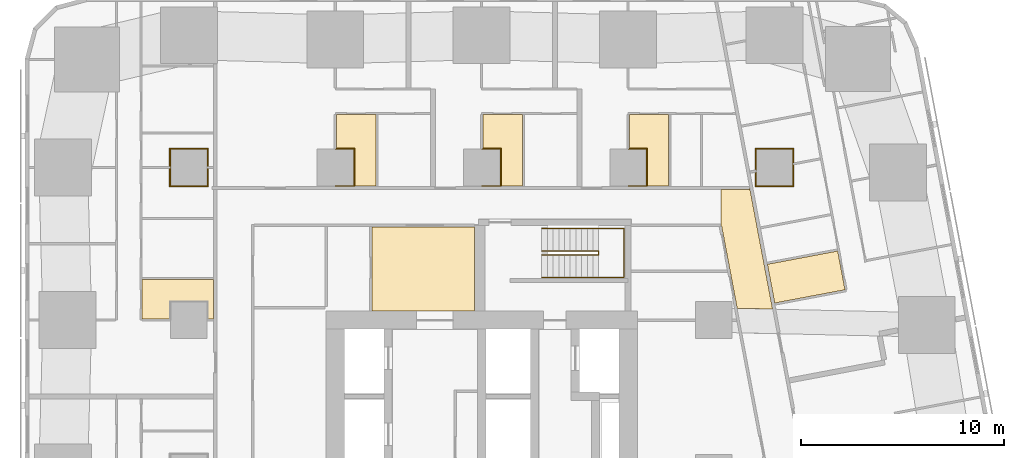
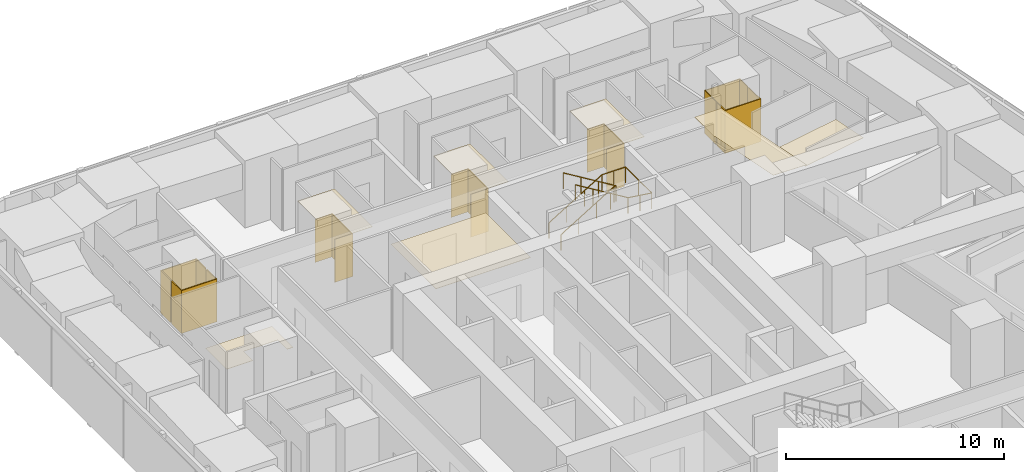
# One storey, part 15 of 15: 14 coverings, 2 railings.
"""IFC4 building model written with IfcOpenShell, lengths in metres."""

import ifcopenshell
import ifcopenshell.guid

model = None  # the IFC model being written
_history = None  # IfcOwnerHistory: only IFC2X3 demands one
_inside = {}  # id of a spatial element -> (the spatial element, [elements in it])
_under = {}  # id of a project, library or spatial element -> (it, [spatial elements below it])
_declared = {}  # id of a project -> (the project, [libraries it declares])
_typed = {}  # id of a type object -> (the type object, [elements of that type])
_made_of = {}  # id of a material, layer set ... -> (it, [elements and type objects made of it])


def new_model(schema):
    """Start an empty IFC model of exactly this schema.

    Asked for "IFC4X3", IfcOpenShell would pick the latest addendum, in which some entities
    have other attributes; the version numbers below select the first issue.
    IFC2X3 requires an IfcOwnerHistory on every rooted entity: one is made here for all.
    """
    global model, _history
    if schema == "IFC4X3":
        model = ifcopenshell.file(schema_version=(4, 3, 0, 0))
    else:
        model = ifcopenshell.file(schema=schema)
    _inside.clear()
    _under.clear()
    _declared.clear()
    _typed.clear()
    _made_of.clear()
    _history = None
    if model.schema == "IFC2X3":
        org = make("IfcOrganization", Name="unknown")
        user = make(
            "IfcPersonAndOrganization",
            ThePerson=make("IfcPerson", FamilyName="unknown"),
            TheOrganization=org,
        )
        app = make(
            "IfcApplication",
            ApplicationDeveloper=org,
            Version="unknown",
            ApplicationFullName="unknown",
            ApplicationIdentifier="unknown",
        )
        _history = make(
            "IfcOwnerHistory",
            OwningUser=user,
            OwningApplication=app,
            ChangeAction="ADDED",
            CreationDate=0,
        )
    return model


def make(cls, **values):
    """One entity of the class cls with the attributes given. An attribute that is None is left unset."""
    return model.create_entity(
        cls, **{name: value for name, value in values.items() if value is not None}
    )


def rooted(cls, **values):
    """An entity with a GlobalId (a new one), such as an element, a storey or a relation."""
    return make(cls, GlobalId=ifcopenshell.guid.new(), OwnerHistory=_history, **values)


def si_unit(unit_type, name, prefix=None):
    """IfcSIUnit, for example si_unit("LENGTHUNIT", "METRE", prefix="MILLI")."""
    return make("IfcSIUnit", UnitType=unit_type, Prefix=prefix, Name=name)


def assignment(units):
    """IfcUnitAssignment: the units of a project."""
    return None if units is None else make("IfcUnitAssignment", Units=units)


def point(xyz):
    """IfcCartesianPoint."""
    return None if xyz is None else make("IfcCartesianPoint", Coordinates=xyz)


def direction(xyz):
    """IfcDirection."""
    return None if xyz is None else make("IfcDirection", DirectionRatios=xyz)


def frame(location, z_axis=None, x_axis=None):
    """IfcAxis2Placement3D, a coordinate frame: its origin and axes. An axis left out is left unset."""
    return make(
        "IfcAxis2Placement3D",
        Location=point(location),
        Axis=direction(z_axis),
        RefDirection=direction(x_axis),
    )


def frame_2d(location, x_axis=None):
    """IfcAxis2Placement2D, a coordinate frame in the plane: its origin and x axis."""
    return make(
        "IfcAxis2Placement2D", Location=point(location), RefDirection=direction(x_axis)
    )


def origin():
    """The frame at (0, 0, 0) with its axes left unset."""
    return frame((0.0, 0.0, 0.0))


def origin_2d():
    """The frame at (0, 0) in the plane with its x axis left unset."""
    return frame_2d((0.0, 0.0))


def place(relative_to, where):
    """IfcLocalPlacement: puts the frame where relative to a parent placement (None: the world)."""
    return make(
        "IfcLocalPlacement", PlacementRelTo=relative_to, RelativePlacement=where
    )


def context(
    kind, dimensions, precision=None, world=None, true_north=None, identifier=None
):
    """IfcGeometricRepresentationContext, for example the 3D "Model" context."""
    return make(
        "IfcGeometricRepresentationContext",
        ContextIdentifier=identifier,
        ContextType=kind,
        CoordinateSpaceDimension=dimensions,
        Precision=precision,
        WorldCoordinateSystem=world,
        TrueNorth=true_north,
    )


def subcontext(parent, identifier, kind, view, scale=None):
    """IfcGeometricRepresentationSubContext, for example "Body" below "Model"."""
    return make(
        "IfcGeometricRepresentationSubContext",
        ContextIdentifier=identifier,
        ContextType=kind,
        ParentContext=parent,
        TargetScale=scale,
        TargetView=view,
    )


def project(units=None, contexts=None):
    """IfcProject with its units and contexts."""
    return rooted(
        "IfcProject",
        Name="project",
        RepresentationContexts=contexts,
        UnitsInContext=assignment(units),
    )


def spatial(cls, under=None, at=None, **own):
    """A site, building, storey or space (cls), placed at a placement, below another one or the project."""
    s = rooted(cls, ObjectPlacement=at, **own)
    if under is not None:
        _under.setdefault(under.id(), (under, []))[1].append(s)
    return s


def polyline(points):
    """IfcPolyline through the points."""
    return make("IfcPolyline", Points=[point(p) for p in points])


def profile(cls, at=None, kind="AREA", **sizes):
    """A parametric profile (cls). Its sizes go by their IFC names, for example OverallWidth=200.0."""
    return make(cls, ProfileType=kind, Position=at, **sizes)


def circle(**sizes):
    """IfcCircleProfileDef."""
    return profile("IfcCircleProfileDef", **sizes)


def outline(outer, holes=None, kind="AREA"):
    """IfcArbitraryClosedProfileDef: a profile drawn as a closed curve; with holes, ...WithVoids."""
    if holes is None:
        return make("IfcArbitraryClosedProfileDef", ProfileType=kind, OuterCurve=outer)
    return make(
        "IfcArbitraryProfileDefWithVoids",
        ProfileType=kind,
        OuterCurve=outer,
        InnerCurves=holes,
    )


def extrude(swept, where, along, depth):
    """IfcExtrudedAreaSolid: the profile swept, set in the frame where, extruded along a direction by depth."""
    return make(
        "IfcExtrudedAreaSolid",
        SweptArea=swept,
        Position=where,
        ExtrudedDirection=direction(along),
        Depth=depth,
    )


def shape(context_of_items, identifier, shape_type, items):
    """IfcShapeRepresentation: the items that make up one representation, for example the "Body"."""
    return make(
        "IfcShapeRepresentation",
        ContextOfItems=context_of_items,
        RepresentationIdentifier=identifier,
        RepresentationType=shape_type,
        Items=items,
    )


def material(Name=None, Category=None):
    """IfcMaterial."""
    return make("IfcMaterial", Name=Name, Category=Category)


def layer(
    of_material, thickness, ventilated=None, Name=None, Category=None, Priority=None
):
    """IfcMaterialLayer: one layer of a wall or slab, of a material (None: an air gap)."""
    return make(
        "IfcMaterialLayer",
        Material=of_material,
        LayerThickness=thickness,
        IsVentilated=ventilated,
        Name=Name,
        Category=Category,
        Priority=Priority,
    )


def layer_set(layers, Name=None):
    """IfcMaterialLayerSet."""
    return make("IfcMaterialLayerSet", MaterialLayers=layers, LayerSetName=Name)


def made_of(thing, what):
    """Note that an element or type object is made of a material, layer set ...; save() writes the relation."""
    if what is not None:
        _made_of.setdefault(what.id(), (what, []))[1].append(thing)
    return thing


def type_object(cls, material=None, **own):
    """A type object (cls), such as IfcWallType, which elements share."""
    return made_of(rooted(cls, **own), material)


def element(
    cls,
    number,
    at=None,
    inside=None,
    cuts=None,
    type_object=None,
    material=None,
    context=None,
    identifier="Body",
    shape_type=None,
    held_by="IfcProductDefinitionShape",
    body=None,
    shapes=None,
    **own,
):
    """One element of the class cls, such as IfcWall. Its Tag is "e" and its number.

    at: its placement. inside: the storey or other place that contains it. cuts: it is an
    opening in that element (IfcRelVoidsElement). A single representation is given by context,
    identifier, shape_type and body (its items); several are given by shapes. held_by: the class
    of the entity that holds the representations. save() writes the other relations.
    """
    e = rooted(cls, Tag="e%d" % number, ObjectPlacement=at, **own)
    if body is not None:
        shapes = [shape(context, identifier, shape_type, body)]
    if shapes is not None:
        e.Representation = make(held_by, Representations=shapes)
    if inside is not None:
        _inside.setdefault(inside.id(), (inside, []))[1].append(e)
    if cuts is not None:
        rooted(
            "IfcRelVoidsElement", RelatingBuildingElement=cuts, RelatedOpeningElement=e
        )
    if type_object is not None:
        _typed.setdefault(type_object.id(), (type_object, []))[1].append(e)
    return made_of(e, material)


def aggregate(whole, parts):
    """IfcRelAggregates: a whole, such as a stair, and the parts it consists of."""
    return rooted("IfcRelAggregates", RelatingObject=whole, RelatedObjects=parts)


def save(model, path):
    """Write the relations noted so far, then the file.

    IfcRelAggregates (storeys below a building ...), IfcRelContainedInSpatialStructure (elements
    in a storey), IfcRelDefinesByType, IfcRelAssociatesMaterial and IfcRelDeclares: one each for
    every whole, place, type object, material and project.
    """
    for whole, parts in _under.values():
        aggregate(whole, parts)
    for where, things in _inside.values():
        rooted(
            "IfcRelContainedInSpatialStructure",
            RelatedElements=things,
            RelatingStructure=where,
        )
    for kind, things in _typed.values():
        rooted("IfcRelDefinesByType", RelatedObjects=things, RelatingType=kind)
    for what, things in _made_of.values():
        rooted("IfcRelAssociatesMaterial", RelatedObjects=things, RelatingMaterial=what)
    for by, libraries in _declared.values():
        rooted("IfcRelDeclares", RelatingContext=by, RelatedDefinitions=libraries)
    model.write(path)


model = new_model("IFC4")

# Units and contexts
model_context = context("Model", 3, precision=1e-05, world=origin(), true_north=direction((0.0, 1.0)))
body_context = subcontext(model_context, "Body", "Model", "MODEL_VIEW")
ifc_project = project(units=[si_unit("LENGTHUNIT", "METRE"), si_unit("AREAUNIT", "SQUARE_METRE"), si_unit("VOLUMEUNIT", "CUBIC_METRE"), si_unit("PLANEANGLEUNIT", "RADIAN"), si_unit("MASSUNIT", "GRAM", prefix="KILO")], contexts=[model_context])

# Site, building, storey
site_placement = place(None, origin())
site = spatial("IfcSite", under=ifc_project, at=site_placement, CompositionType="ELEMENT")
building_placement = place(site_placement, origin())
building = spatial("IfcBuilding", under=site, at=building_placement, Name="Sheger Commons Tower", CompositionType="ELEMENT")
storey_placement = place(building_placement, frame((0.0, 0.0, 68.75)))
storey = spatial("IfcBuildingStorey", under=building, at=storey_placement, Name="L17", CompositionType="ELEMENT", Elevation=68.75)

# Railings
ifc_material_1 = material(Name="Steel handrail, black powder-coated", Category="steel")
railing_type = type_object("IfcRailingType", Name="HANDRAIL 900", PredefinedType="HANDRAIL", material=ifc_material_1)
railing_1_placement = place(storey_placement, frame((24.550048828125, 33.39990234375, 0.17041015625)))
element("IfcRailing", 1, at=railing_1_placement, inside=storey, type_object=railing_type, Name="Stair S2 handrail L17", PredefinedType="HANDRAIL", context=body_context, shape_type="SweptSolid", body=[
    extrude(circle(Radius=0.02392578125, at=origin_2d()), frame((0.0, 0.0, 0.8759765625), z_axis=(0.854169791009, 0.0, 0.51999420009), x_axis=(0.0, 1.0, 0.0)), (0.0, 0.0, 1.0), 3.278076171875),
    extrude(circle(Radius=0.02392578125, at=origin_2d()), frame((2.800048828125, 0.0, 2.58056640625), z_axis=(0.0, -0.761090297175, 0.648645943136), x_axis=(1.0, 0.0, 0.0)), (0.0, 0.0, 1.0), 0.2626953125),
    extrude(circle(Radius=0.02392578125, at=origin_2d()), frame((2.800048828125, -0.199951171875, 2.7509765625), z_axis=(-0.854169791009, 0.0, 0.51999420009), x_axis=(0.0, -1.0, 0.0)), (0.0, 0.0, 1.0), 3.278076171875),
    extrude(circle(Radius=0.02099609375, at=origin_2d()), origin(), (0.0, 0.0, 1.0), 0.851806640625),
    extrude(circle(Radius=0.02099609375, at=origin_2d()), frame((0.933349609375, 0.0, 0.568115234375)), (0.0, 0.0, 1.0), 0.851806640625),
    extrude(circle(Radius=0.02099609375, at=origin_2d()), frame((1.86669921875, 0.0, 1.136474609375)), (0.0, 0.0, 1.0), 0.851806640625),
    extrude(circle(Radius=0.02099609375, at=origin_2d()), frame((2.800048828125, 0.0, 1.70458984375)), (0.0, 0.0, 1.0), 0.851806640625),
    extrude(circle(Radius=0.02099609375, at=origin_2d()), frame((2.800048828125, -0.199951171875, 1.875)), (0.0, 0.0, 1.0), 0.851806640625),
    extrude(circle(Radius=0.02099609375, at=origin_2d()), frame((1.86669921875, -0.199951171875, 2.443115234375)), (0.0, 0.0, 1.0), 0.851806640625),
    extrude(circle(Radius=0.02099609375, at=origin_2d()), frame((0.933349609375, -0.199951171875, 3.011474609375)), (0.0, 0.0, 1.0), 0.851806640625),
    extrude(circle(Radius=0.02099609375, at=origin_2d()), frame((0.0, -0.199951171875, 3.57958984375)), (0.0, 0.0, 1.0), 0.851806640625),
])
railing_2_placement = place(storey_placement, frame((24.550048828125, 34.5, 0.17041015625)))
element("IfcRailing", 2, at=railing_2_placement, inside=storey, type_object=railing_type, Name="Stair S2 handrail L17", PredefinedType="HANDRAIL", context=body_context, shape_type="SweptSolid", body=[
    extrude(circle(Radius=0.02392578125, at=origin_2d()), frame((0.0, 0.0, 0.8759765625), z_axis=(0.854169791009, 0.0, 0.51999420009), x_axis=(0.0, 1.0, 0.0)), (0.0, 0.0, 1.0), 3.278076171875),
    extrude(circle(Radius=0.02392578125, at=origin_2d()), frame((2.800048828125, 0.0, 2.58056640625), z_axis=(1.0, 0.0, 0.0), x_axis=(0.0, 1.0, 0.0)), (0.0, 0.0, 1.0), 1.25),
    extrude(circle(Radius=0.02392578125, at=origin_2d()), frame((4.050048828125, 0.0, 2.58056640625), z_axis=(0.0, -1.0, 0.0), x_axis=(1.0, 0.0, 0.0)), (0.0, 0.0, 1.0), 2.39990234375),
    extrude(circle(Radius=0.02392578125, at=origin_2d()), frame((4.050048828125, -2.39990234375, 2.58056640625), z_axis=(-0.990834877927, 0.0, 0.135078661092), x_axis=(0.0, -1.0, 0.0)), (0.0, 0.0, 1.0), 1.261474609375),
    extrude(circle(Radius=0.02392578125, at=origin_2d()), frame((2.800048828125, -2.39990234375, 2.7509765625), z_axis=(-0.854169791009, 0.0, 0.51999420009), x_axis=(0.0, -1.0, 0.0)), (0.0, 0.0, 1.0), 3.278076171875),
    extrude(circle(Radius=0.02099609375, at=origin_2d()), origin(), (0.0, 0.0, 1.0), 0.851806640625),
    extrude(circle(Radius=0.02099609375, at=origin_2d()), frame((0.933349609375, 0.0, 0.568115234375)), (0.0, 0.0, 1.0), 0.851806640625),
    extrude(circle(Radius=0.02099609375, at=origin_2d()), frame((1.86669921875, 0.0, 1.136474609375)), (0.0, 0.0, 1.0), 0.851806640625),
    extrude(circle(Radius=0.02099609375, at=origin_2d()), frame((2.800048828125, 0.0, 1.70458984375)), (0.0, 0.0, 1.0), 0.851806640625),
    extrude(circle(Radius=0.02099609375, at=origin_2d()), frame((3.425048828125, 0.0, 1.70458984375)), (0.0, 0.0, 1.0), 0.851806640625),
    extrude(circle(Radius=0.02099609375, at=origin_2d()), frame((4.050048828125, 0.0, 1.70458984375)), (0.0, 0.0, 1.0), 0.851806640625),
    extrude(circle(Radius=0.02099609375, at=origin_2d()), frame((4.050048828125, -1.199951171875, 1.70458984375)), (0.0, 0.0, 1.0), 0.851806640625),
    extrude(circle(Radius=0.02099609375, at=origin_2d()), frame((4.050048828125, -2.39990234375, 1.70458984375)), (0.0, 0.0, 1.0), 0.851806640625),
    extrude(circle(Radius=0.02099609375, at=origin_2d()), frame((3.425048828125, -2.39990234375, 1.789794921875)), (0.0, 0.0, 1.0), 0.851806640625),
    extrude(circle(Radius=0.02099609375, at=origin_2d()), frame((2.800048828125, -2.39990234375, 1.875)), (0.0, 0.0, 1.0), 0.851806640625),
    extrude(circle(Radius=0.02099609375, at=origin_2d()), frame((1.86669921875, -2.39990234375, 2.443115234375)), (0.0, 0.0, 1.0), 0.851806640625),
    extrude(circle(Radius=0.02099609375, at=origin_2d()), frame((0.933349609375, -2.39990234375, 3.011474609375)), (0.0, 0.0, 1.0), 0.851806640625),
    extrude(circle(Radius=0.02099609375, at=origin_2d()), frame((0.0, -2.39990234375, 3.57958984375)), (0.0, 0.0, 1.0), 0.851806640625),
])

# Coverings
ifc_material_2 = material(Name="Moisture-resistant gypsum plasterboard 15 mm on a suspended galvanised steel grid", Category="steel")
ifc_layer_1 = layer(ifc_material_2, 0.014892578125)
ifc_layer_set_1 = layer_set([ifc_layer_1], Name="MOISTURE-RESISTANT CEILING 15")
covering_type_1 = type_object("IfcCoveringType", Name="MOISTURE-RESISTANT CEILING 15", PredefinedType="CEILING", material=ifc_layer_set_1)
covering_1_placement = place(storey_placement, frame((0.0, 0.0, 2.39990234375)))
element("IfcCovering", 3, at=covering_1_placement, inside=storey, type_object=covering_type_1, Name="L17-04.B1 ceiling", PredefinedType="CEILING", context=body_context, shape_type="SweptSolid", body=[
    extrude(outline(polyline([(4.905029296875, 30.054931640625), (6.294921875, 30.054931640625), (6.294921875, 30.905029296875), (8.10498046875, 30.905029296875), (8.10498046875, 30.054931640625), (8.419921875, 30.054931640625), (8.419921875, 31.9951171875), (4.905029296875, 31.9951171875), (4.905029296875, 30.054931640625)])), origin(), (0.0, 0.0, 1.0), 0.01513671875),
])
covering_2_placement = place(storey_placement, frame((0.0, 0.0, 2.39990234375)))
element("IfcCovering", 4, at=covering_2_placement, inside=storey, type_object=covering_type_1, Name="L17-09.B1 ceiling", PredefinedType="CEILING", context=body_context, shape_type="SweptSolid", body=[
    extrude(outline(polyline([(36.007080078125, 30.8349609375), (39.4609375, 31.487060546875), (39.10107421875, 33.39306640625), (35.64697265625, 32.740966796875), (36.007080078125, 30.8349609375)])), origin(), (0.0, 0.0, 1.0), 0.01513671875),
])
covering_3_placement = place(storey_placement, frame((0.0, 0.0, 2.39990234375)))
element("IfcCovering", 5, at=covering_3_placement, inside=storey, type_object=covering_type_1, Name="L17-13.B1 ceiling", PredefinedType="CEILING", context=body_context, shape_type="SweptSolid", body=[
    extrude(outline(polyline([(14.39990234375, 36.580078125), (16.39501953125, 36.580078125), (16.39501953125, 40.094970703125), (14.455078125, 40.094970703125), (14.455078125, 38.405029296875), (15.304931640625, 38.405029296875), (15.304931640625, 36.594970703125), (14.39990234375, 36.594970703125), (14.39990234375, 36.580078125)])), origin(), (0.0, 0.0, 1.0), 0.01513671875),
])
covering_4_placement = place(storey_placement, frame((0.0, 0.0, 2.39990234375)))
element("IfcCovering", 6, at=covering_4_placement, inside=storey, type_object=covering_type_1, Name="L17-14.B1 ceiling", PredefinedType="CEILING", context=body_context, shape_type="SweptSolid", body=[
    extrude(outline(polyline([(21.60009765625, 36.580078125), (23.594970703125, 36.580078125), (23.594970703125, 40.094970703125), (21.655029296875, 40.094970703125), (21.655029296875, 38.405029296875), (22.5048828125, 38.405029296875), (22.5048828125, 36.594970703125), (21.60009765625, 36.594970703125), (21.60009765625, 36.580078125)])), origin(), (0.0, 0.0, 1.0), 0.01513671875),
])
covering_5_placement = place(storey_placement, frame((0.0, 0.0, 2.39990234375)))
element("IfcCovering", 7, at=covering_5_placement, inside=storey, type_object=covering_type_1, Name="L17-15.B1 ceiling", PredefinedType="CEILING", context=body_context, shape_type="SweptSolid", body=[
    extrude(outline(polyline([(28.800048828125, 36.580078125), (30.794921875, 36.580078125), (30.794921875, 40.094970703125), (28.85498046875, 40.094970703125), (28.85498046875, 38.405029296875), (29.705078125, 38.405029296875), (29.705078125, 36.594970703125), (28.800048828125, 36.594970703125), (28.800048828125, 36.580078125)])), origin(), (0.0, 0.0, 1.0), 0.01513671875),
])
ifc_material_3 = material(Name="Gypsum plasterboard 15 mm on a suspended steel grid", Category="steel")
ifc_layer_2 = layer(ifc_material_3, 0.014892578125)
ifc_layer_set_2 = layer_set([ifc_layer_2], Name="SUSPENDED CEILING 15")
covering_type_2 = type_object("IfcCoveringType", Name="SUSPENDED CEILING 15", PredefinedType="CEILING", material=ifc_layer_set_2)
covering_6_placement = place(storey_placement, frame((0.0, 0.0, 2.699951171875)))
element("IfcCovering", 8, at=covering_6_placement, inside=storey, type_object=covering_type_2, Name="L17-CO ceiling", PredefinedType="CEILING", context=body_context, shape_type="SweptSolid", body=[
    extrude(outline(polyline([(35.89990234375, 30.5400390625), (34.77392578125, 36.5), (34.77001953125, 36.5), (34.77001953125, 36.419921875), (33.365966796875, 36.419921875), (33.365966796875, 34.699951171875), (33.365966796875, 34.697998046875), (33.364013671875, 34.697998046875), (33.382080078125, 34.60205078125), (33.39892578125, 34.60498046875), (34.159912109375, 30.5791015625), (35.89990234375, 30.5400390625)])), origin(), (0.0, 0.0, 1.0), 0.01513671875),
])
covering_7_placement = place(storey_placement, frame((0.0, 0.0, 2.699951171875)))
element("IfcCovering", 9, at=covering_7_placement, inside=storey, type_object=covering_type_2, Name="L17-SVN1 ceiling", PredefinedType="CEILING", context=body_context, shape_type="SweptSolid", body=[
    extrude(outline(polyline([(16.217041015625, 30.455078125), (21.2451171875, 30.455078125), (21.2451171875, 34.58203125), (16.217041015625, 34.58203125), (16.217041015625, 30.455078125)])), origin(), (0.0, 0.0, 1.0), 0.01513671875),
])
ifc_material_4 = material(Name="Moisture-resistant gypsum board 12.5 mm on 25 mm treated timber battens, tanked and tiled", Category="wood")
ifc_layer_3 = layer(ifc_material_4, 0.050048828125)
ifc_layer_set_3 = layer_set([ifc_layer_3], Name="WET-ROOM COLUMN LINING")
covering_type_3 = type_object("IfcCoveringType", Name="WET-ROOM COLUMN LINING", PredefinedType="CLADDING", material=ifc_layer_set_3)
covering_8_placement = place(storey_placement, origin())
element("IfcCovering", 10, at=covering_8_placement, inside=storey, type_object=covering_type_3, Name="Store and laundry column lining C8 L17", PredefinedType="CLADDING", context=body_context, shape_type="SweptSolid", body=[
    extrude(outline(polyline([(6.300048828125, 37.5), (6.300048828125, 36.60009765625), (8.10009765625, 36.60009765625), (8.10009765625, 37.5), (8.10107421875, 37.5), (8.10107421875, 37.449951171875), (8.14990234375, 37.449951171875), (8.14990234375, 36.550048828125), (6.25, 36.550048828125), (6.25, 37.449951171875), (6.299072265625, 37.449951171875), (6.299072265625, 37.5), (6.300048828125, 37.5)])), origin(), (0.0, 0.0, 1.0), 2.39990234375),
])
covering_9_placement = place(storey_placement, origin())
element("IfcCovering", 11, at=covering_9_placement, inside=storey, type_object=covering_type_3, Name="Laundry room column lining C8 L17", PredefinedType="CLADDING", context=body_context, shape_type="SweptSolid", body=[
    extrude(outline(polyline([(8.14990234375, 38.449951171875), (8.14990234375, 37.550048828125), (8.10107421875, 37.550048828125), (8.10107421875, 37.5), (8.10009765625, 37.5), (8.10009765625, 38.39990234375), (6.300048828125, 38.39990234375), (6.300048828125, 37.5), (6.299072265625, 37.5), (6.299072265625, 37.550048828125), (6.25, 37.550048828125), (6.25, 38.449951171875), (8.14990234375, 38.449951171875)])), origin(), (0.0, 0.0, 1.0), 2.39990234375),
])
covering_10_placement = place(storey_placement, origin())
element("IfcCovering", 12, at=covering_10_placement, inside=storey, type_object=covering_type_3, Name="Bathroom column lining C8 L17", PredefinedType="CLADDING", context=body_context, shape_type="SweptSolid", body=[
    extrude(outline(polyline([(15.35009765625, 36.574951171875), (14.39990234375, 36.574951171875), (14.39990234375, 36.60009765625), (15.300048828125, 36.60009765625), (15.300048828125, 38.39990234375), (14.39990234375, 38.39990234375), (14.39990234375, 38.40087890625), (14.449951171875, 38.40087890625), (14.449951171875, 38.449951171875), (15.35009765625, 38.449951171875), (15.35009765625, 36.574951171875)])), origin(), (0.0, 0.0, 1.0), 2.39990234375),
])
covering_11_placement = place(storey_placement, origin())
element("IfcCovering", 13, at=covering_11_placement, inside=storey, type_object=covering_type_3, Name="Bathroom column lining C8 L17", PredefinedType="CLADDING", context=body_context, shape_type="SweptSolid", body=[
    extrude(outline(polyline([(22.550048828125, 36.574951171875), (21.60009765625, 36.574951171875), (21.60009765625, 36.60009765625), (22.5, 36.60009765625), (22.5, 38.39990234375), (21.60009765625, 38.39990234375), (21.60009765625, 38.40087890625), (21.64990234375, 38.40087890625), (21.64990234375, 38.449951171875), (22.550048828125, 38.449951171875), (22.550048828125, 36.574951171875)])), origin(), (0.0, 0.0, 1.0), 2.39990234375),
])
covering_12_placement = place(storey_placement, origin())
element("IfcCovering", 14, at=covering_12_placement, inside=storey, type_object=covering_type_3, Name="Bathroom column lining C8 L17", PredefinedType="CLADDING", context=body_context, shape_type="SweptSolid", body=[
    extrude(outline(polyline([(29.75, 36.574951171875), (28.800048828125, 36.574951171875), (28.800048828125, 36.60009765625), (29.699951171875, 36.60009765625), (29.699951171875, 38.39990234375), (28.800048828125, 38.39990234375), (28.800048828125, 38.40087890625), (28.85009765625, 38.40087890625), (28.85009765625, 38.449951171875), (29.75, 38.449951171875), (29.75, 36.574951171875)])), origin(), (0.0, 0.0, 1.0), 2.39990234375),
])
covering_13_placement = place(storey_placement, origin())
element("IfcCovering", 15, at=covering_13_placement, inside=storey, type_object=covering_type_3, Name="Store and laundry column lining C8 L17", PredefinedType="CLADDING", context=body_context, shape_type="SweptSolid", body=[
    extrude(outline(polyline([(35.10009765625, 37.330078125), (35.10009765625, 36.60009765625), (36.89990234375, 36.60009765625), (36.89990234375, 37.6708984375), (36.909912109375, 37.673095703125), (36.9189453125, 37.623046875), (36.949951171875, 37.62890625), (36.949951171875, 36.550048828125), (35.050048828125, 36.550048828125), (35.050048828125, 37.27001953125), (35.09912109375, 37.279052734375), (35.090087890625, 37.327880859375), (35.10009765625, 37.330078125)])), origin(), (0.0, 0.0, 1.0), 2.39990234375),
])
covering_14_placement = place(storey_placement, origin())
element("IfcCovering", 16, at=covering_14_placement, inside=storey, type_object=covering_type_3, Name="Laundry room column lining C8 L17", PredefinedType="CLADDING", context=body_context, shape_type="SweptSolid", body=[
    extrude(outline(polyline([(36.949951171875, 38.449951171875), (36.949951171875, 37.72998046875), (36.90087890625, 37.720947265625), (36.909912109375, 37.673095703125), (36.89990234375, 37.6708984375), (36.89990234375, 38.39990234375), (35.10009765625, 38.39990234375), (35.10009765625, 37.330078125), (35.090087890625, 37.327880859375), (35.0810546875, 37.376953125), (35.050048828125, 37.37109375), (35.050048828125, 38.449951171875), (36.949951171875, 38.449951171875)])), origin(), (0.0, 0.0, 1.0), 2.39990234375),
])

save(model, "model.ifc")
